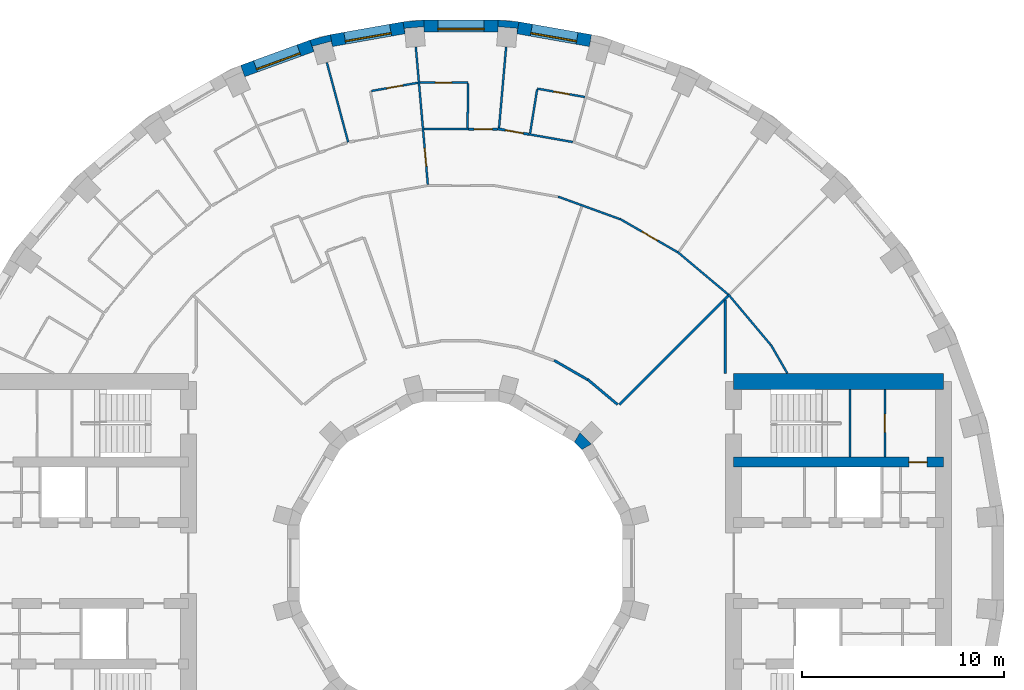
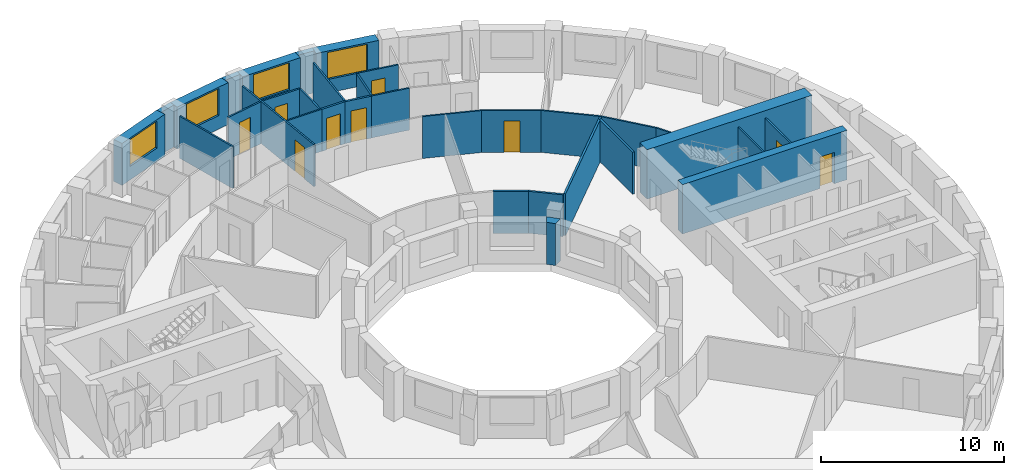
# One storey, part 11 of 14: 33 walls, 9 doors, 4 windows, 13 openings.
"""IFC4 building model written with IfcOpenShell, lengths in metres."""

from ifc_helpers import new_model, si_unit, direction, frame, frame_2d, origin, place, context, subcontext, project, spatial, polyline, rectangle, outline, extrude, material, layer, layer_set, type_object, element, fill, save


model = new_model("IFC4")

# Units and contexts
model_context = context("Model", 3, precision=1e-05, world=origin(), true_north=direction((0.0, 1.0)))
body_context = subcontext(model_context, "Body", "Model", "MODEL_VIEW")
ifc_project = project(units=[si_unit("LENGTHUNIT", "METRE"), si_unit("AREAUNIT", "SQUARE_METRE"), si_unit("VOLUMEUNIT", "CUBIC_METRE"), si_unit("PLANEANGLEUNIT", "RADIAN"), si_unit("MASSUNIT", "GRAM", prefix="KILO")], contexts=[model_context])

# Site, building, storey
site_placement = place(None, origin())
site = spatial("IfcSite", under=ifc_project, at=site_placement, CompositionType="ELEMENT")
building_placement = place(site_placement, origin())
building = spatial("IfcBuilding", under=site, at=building_placement, Name="Saqina Gate Tower", CompositionType="ELEMENT")
storey_placement = place(building_placement, frame((0.0, 0.0, 138.10009765625)))
storey = spatial("IfcBuildingStorey", under=building, at=storey_placement, Name="L39", CompositionType="ELEMENT", Elevation=138.10009765625)

# Walls
ifc_material_1 = material(Name="Brick masonry (buff)", Category="masonry")
wall_type_1 = type_object("IfcWallType", Name="BRICK PIER COPING BUFF", PredefinedType="SOLIDWALL", material=ifc_material_1)
wall_1_placement = place(storey_placement, origin())
element("IfcWall", 1, at=wall_1_placement, inside=storey, type_object=wall_type_1, Name="Pier cap L39 column 9", PredefinedType="SOLIDWALL", context=body_context, shape_type="SweptSolid", body=[
    extrude(outline(polyline([(2.87451171875, 26.805419921875), (1.823974609375, 26.897216796875), (1.823974609375, 26.29736328125), (1.847412109375, 26.565185546875), (2.793701171875, 26.482421875), (2.770263671875, 26.214599609375), (2.87451171875, 26.805419921875)])), origin(), (0.0, 0.0, 1.0), 2.7998046875),
])
wall_2_placement = place(storey_placement, origin())
element("IfcWall", 2, at=wall_2_placement, inside=storey, type_object=wall_type_1, Name="Pier cap L39 column 10", PredefinedType="SOLIDWALL", context=body_context, shape_type="SweptSolid", body=[
    extrude(outline(polyline([(-2.87451171875, 26.805419921875), (-2.770263671875, 26.214599609375), (-2.793701171875, 26.482421875), (-1.847412109375, 26.565185546875), (-1.823974609375, 26.29736328125), (-1.823974609375, 26.897216796875), (-2.87451171875, 26.805419921875)])), origin(), (0.0, 0.0, 1.0), 2.7998046875),
])
wall_3_placement = place(storey_placement, origin())
element("IfcWall", 3, at=wall_3_placement, inside=storey, type_object=wall_type_1, Name="Pier cap L39 column 11", PredefinedType="SOLIDWALL", context=body_context, shape_type="SweptSolid", body=[
    extrude(outline(polyline([(-6.466796875, 26.171875), (-7.485595703125, 25.89892578125), (-7.2802734375, 25.335205078125), (-7.349853515625, 25.5947265625), (-6.43212890625, 25.8408203125), (-6.36279296875, 25.5810546875), (-6.466796875, 26.171875)])), origin(), (0.0, 0.0, 1.0), 2.7998046875),
])

# Wall, opening, door
ifc_material_2 = material(Name="Gypsum board on steel studs", Category="steel")
ifc_layer_1 = layer(ifc_material_2, 0.10009765625)
ifc_layer_set_1 = layer_set([ifc_layer_1], Name="CORE PARTITION")
wall_type_2 = type_object("IfcWallType", Name="CORE PARTITION", PredefinedType="PARTITIONING", material=ifc_layer_set_1)
wall_4_placement = place(storey_placement, frame((20.991943359375, 5.25, 0.0), z_axis=(0.0, 0.0, 1.0), x_axis=(0.0, 1.0, 0.0)))
wall_4 = element("IfcWall", 4, at=wall_4_placement, inside=storey, type_object=wall_type_2, Name="L39-CP-E13", PredefinedType="PARTITIONING", context=body_context, shape_type="SweptSolid", body=[
    extrude(rectangle(XDim=3.35009765625, YDim=0.10009765625, at=frame_2d((1.675048828125, 0.0))), origin(), (0.0, 0.0, 1.0), 2.7998046875),
])
opening_1_placement = place(wall_4_placement, frame((1.22509765625, 0.0, 0.0)))
opening_1 = element("IfcOpeningElement", 5, at=opening_1_placement, cuts=wall_4, Name="Opening G11-D99", PredefinedType="OPENING", context=body_context, shape_type="SweptSolid", body=[
    extrude(rectangle(XDim=0.89990234375, YDim=2.10009765625, at=frame_2d((0.449951171875, 1.050048828125))), frame((0.0, 0.06201171875, 0.0), z_axis=(0.0, -1.0, 0.0), x_axis=(1.0, 0.0, 0.0)), (0.0, 0.0, 1.0), 0.1240234375),
])
ifc_material_3 = material(Name="Steel-framed fire door leaf, EI 60", Category="steel")
door_type_1 = type_object("IfcDoorType", Name="SERVICE ROOM DOOR 900", OperationType="SINGLE_SWING_LEFT", PredefinedType="DOOR", material=ifc_material_3)
door_1_placement = place(opening_1_placement, frame((0.89990234375, 0.0, 0.0), z_axis=(0.0, 0.0, 1.0), x_axis=(-1.0, 0.0, 0.0)))
door_1 = element("IfcDoor", 6, at=door_1_placement, inside=storey, type_object=door_type_1, Name="L39-CD-E10", OperationType="SINGLE_SWING_LEFT", OverallHeight=2.10009765625, OverallWidth=0.89990234375, PredefinedType="DOOR", context=body_context, shape_type="SweptSolid", body=[
    extrude(rectangle(XDim=0.89990234375, YDim=2.10009765625, at=frame_2d((0.449951171875, 1.050048828125))), frame((0.0, 0.02490234375, 0.0), z_axis=(0.0, -1.0, 0.0), x_axis=(1.0, 0.0, 0.0)), (0.0, 0.0, 1.0), 0.050048828125),
])
fill(opening_1, door_1)

# Wall, opening, window
ifc_material_4 = material(Name="Brick masonry (buff)", Category="masonry")
ifc_layer_2 = layer(ifc_material_4, 0.60009765625)
ifc_layer_set_2 = layer_set([ifc_layer_2], Name="FW-BRICK-BUFF")
wall_type_3 = type_object("IfcWallType", Name="FW-BRICK-BUFF", PredefinedType="SOLIDWALL", material=ifc_layer_set_2)
wall_5_placement = place(storey_placement, frame((6.414794921875, 25.87646484375, 0.0), z_axis=(0.0, 0.0, 1.0), x_axis=(-0.984803764455, 0.173670796382, 0.0)))
wall_5 = element("IfcWall", 7, at=wall_5_placement, inside=storey, type_object=wall_type_3, Name="Facade wall L39 facet 8", PredefinedType="SOLIDWALL", context=body_context, shape_type="SweptSolid", body=[
    extrude(rectangle(XDim=3.64794921875, YDim=0.60009765625, at=frame_2d((1.823974609375, 0.0))), origin(), (0.0, 0.0, 1.0), 2.7998046875),
])
opening_2_placement = place(wall_5_placement, frame((0.673828125, 0.0, 0.89990234375)))
opening_2 = element("IfcOpeningElement", 8, at=opening_2_placement, cuts=wall_5, Name="Opening G11-W06", PredefinedType="OPENING", context=body_context, shape_type="SweptSolid", body=[
    extrude(rectangle(XDim=2.300048828125, YDim=1.800048828125, at=frame_2d((1.14990234375, 0.89990234375))), frame((0.0, 0.31201171875, 0.0), z_axis=(0.0, -1.0, 0.0), x_axis=(1.0, 0.0, 0.0)), (0.0, 0.0, 1.0), 0.6240234375),
])
ifc_material_5 = material(Name="Aluminium glazing", Category="aluminium")
window_type = type_object("IfcWindowType", Name="WN-B", PartitioningType="SINGLE_PANEL", PredefinedType="WINDOW", material=ifc_material_5)
window_1_placement = place(opening_2_placement, origin())
window_1 = element("IfcWindow", 9, at=window_1_placement, inside=storey, type_object=window_type, Name="Window L39 facet 8", OverallHeight=1.800048828125, OverallWidth=2.300048828125, PartitioningType="SINGLE_PANEL", PredefinedType="WINDOW", context=body_context, shape_type="SweptSolid", body=[
    extrude(rectangle(XDim=2.300048828125, YDim=1.800048828125, at=frame_2d((1.14990234375, 0.89990234375))), frame((0.0, 0.179931640625, 0.0), z_axis=(0.0, -1.0, 0.0), x_axis=(1.0, 0.0, 0.0)), (0.0, 0.0, 1.0), 0.06005859375),
])
fill(opening_2, window_1)

wall_6_placement = place(storey_placement, frame((1.823974609375, 26.59716796875, 0.0), z_axis=(0.0, 0.0, 1.0), x_axis=(-1.0, 0.0, 0.0)))
wall_6 = element("IfcWall", 10, at=wall_6_placement, inside=storey, type_object=wall_type_3, Name="Facade wall L39 facet 9", PredefinedType="SOLIDWALL", context=body_context, shape_type="SweptSolid", body=[
    extrude(rectangle(XDim=3.64794921875, YDim=0.60009765625, at=frame_2d((1.823974609375, 0.0))), origin(), (0.0, 0.0, 1.0), 2.7998046875),
])
opening_3_placement = place(wall_6_placement, frame((0.673828125, 0.0, 0.89990234375)))
opening_3 = element("IfcOpeningElement", 11, at=opening_3_placement, cuts=wall_6, Name="Opening G11-W07", PredefinedType="OPENING", context=body_context, shape_type="SweptSolid", body=[
    extrude(rectangle(XDim=2.300048828125, YDim=1.800048828125, at=frame_2d((1.14990234375, 0.89990234375))), frame((0.0, 0.31201171875, 0.0), z_axis=(0.0, -1.0, 0.0), x_axis=(1.0, 0.0, 0.0)), (0.0, 0.0, 1.0), 0.6240234375),
])
window_2_placement = place(opening_3_placement, origin())
window_2 = element("IfcWindow", 12, at=window_2_placement, inside=storey, type_object=window_type, Name="Window L39 facet 9", OverallHeight=1.800048828125, OverallWidth=2.300048828125, PartitioningType="SINGLE_PANEL", PredefinedType="WINDOW", context=body_context, shape_type="SweptSolid", body=[
    extrude(rectangle(XDim=2.300048828125, YDim=1.800048828125, at=frame_2d((1.14990234375, 0.89990234375))), frame((0.0, 0.179931640625, 0.0), z_axis=(0.0, -1.0, 0.0), x_axis=(1.0, 0.0, 0.0)), (0.0, 0.0, 1.0), 0.06005859375),
])
fill(opening_3, window_2)

wall_7_placement = place(storey_placement, frame((-2.822265625, 26.510009765625, 0.0), z_axis=(0.0, 0.0, 1.0), x_axis=(-0.984803764455, -0.173670796382, 0.0)))
wall_7 = element("IfcWall", 13, at=wall_7_placement, inside=storey, type_object=wall_type_3, Name="Facade wall L39 facet 10", PredefinedType="SOLIDWALL", context=body_context, shape_type="SweptSolid", body=[
    extrude(rectangle(XDim=3.64794921875, YDim=0.60009765625, at=frame_2d((1.823974609375, 0.0))), origin(), (0.0, 0.0, 1.0), 2.7998046875),
])
opening_4_placement = place(wall_7_placement, frame((0.673828125, 0.0, 0.89990234375)))
opening_4 = element("IfcOpeningElement", 14, at=opening_4_placement, cuts=wall_7, Name="Opening G11-W08", PredefinedType="OPENING", context=body_context, shape_type="SweptSolid", body=[
    extrude(rectangle(XDim=2.300048828125, YDim=1.800048828125, at=frame_2d((1.14990234375, 0.89990234375))), frame((0.0, 0.31201171875, 0.0), z_axis=(0.0, -1.0, 0.0), x_axis=(1.0, 0.0, 0.0)), (0.0, 0.0, 1.0), 0.6240234375),
])
window_3_placement = place(opening_4_placement, origin())
window_3 = element("IfcWindow", 15, at=window_3_placement, inside=storey, type_object=window_type, Name="Window L39 facet 10", OverallHeight=1.800048828125, OverallWidth=2.300048828125, PartitioningType="SINGLE_PANEL", PredefinedType="WINDOW", context=body_context, shape_type="SweptSolid", body=[
    extrude(rectangle(XDim=2.300048828125, YDim=1.800048828125, at=frame_2d((1.14990234375, 0.89990234375))), frame((0.0, 0.179931640625, 0.0), z_axis=(0.0, -1.0, 0.0), x_axis=(1.0, 0.0, 0.0)), (0.0, 0.0, 1.0), 0.06005859375),
])
fill(opening_4, window_3)

wall_8_placement = place(storey_placement, frame((-7.3828125, 25.616943359375, 0.0), z_axis=(0.0, 0.0, 1.0), x_axis=(-0.939703505393, -0.341990236633, 0.0)))
wall_8 = element("IfcWall", 16, at=wall_8_placement, inside=storey, type_object=wall_type_3, Name="Facade wall L39 facet 11", PredefinedType="SOLIDWALL", context=body_context, shape_type="SweptSolid", body=[
    extrude(rectangle(XDim=3.64794921875, YDim=0.60009765625, at=frame_2d((1.823974609375, 0.0))), origin(), (0.0, 0.0, 1.0), 2.7998046875),
])
opening_5_placement = place(wall_8_placement, frame((0.673828125, 0.0, 0.89990234375)))
opening_5 = element("IfcOpeningElement", 17, at=opening_5_placement, cuts=wall_8, Name="Opening G11-W09", PredefinedType="OPENING", context=body_context, shape_type="SweptSolid", body=[
    extrude(rectangle(XDim=2.300048828125, YDim=1.800048828125, at=frame_2d((1.14990234375, 0.89990234375))), frame((0.0, 0.31201171875, 0.0), z_axis=(0.0, -1.0, 0.0), x_axis=(1.0, 0.0, 0.0)), (0.0, 0.0, 1.0), 0.6240234375),
])
window_4_placement = place(opening_5_placement, origin())
window_4 = element("IfcWindow", 18, at=window_4_placement, inside=storey, type_object=window_type, Name="Window L39 facet 11", OverallHeight=1.800048828125, OverallWidth=2.300048828125, PartitioningType="SINGLE_PANEL", PredefinedType="WINDOW", context=body_context, shape_type="SweptSolid", body=[
    extrude(rectangle(XDim=2.300048828125, YDim=1.800048828125, at=frame_2d((1.14990234375, 0.89990234375))), frame((0.0, 0.179931640625, 0.0), z_axis=(0.0, -1.0, 0.0), x_axis=(1.0, 0.0, 0.0)), (0.0, 0.0, 1.0), 0.06005859375),
])
fill(opening_5, window_4)

# Wall, opening, door
ifc_material_6 = material(Name="Gypsum board on steel studs, 100 mm", Category="steel")
ifc_layer_3 = layer(ifc_material_6, 0.10009765625)
ifc_layer_set_3 = layer_set([ifc_layer_3], Name="PARTITION 100")
wall_type_4 = type_object("IfcWallType", Name="PARTITION 100", PredefinedType="PARTITIONING", material=ifc_layer_set_3)
wall_9_placement = place(storey_placement, frame((-2.23681640625, 25.5673828125, 0.0), z_axis=(0.0, 0.0, 1.0), x_axis=(0.087068277691, -0.996202346424, 0.0)))
wall_9 = element("IfcWall", 19, at=wall_9_placement, inside=storey, type_object=wall_type_4, Name="PARTITION PW3-02", PredefinedType="PARTITIONING", context=body_context, shape_type="SweptSolid", body=[
    extrude(rectangle(XDim=6.844482421875, YDim=0.10009765625, at=frame_2d((3.42236328125, 0.0))), origin(), (0.0, 0.0, 1.0), 2.7998046875),
])
opening_6_placement = place(wall_9_placement, frame((5.040283203125, 0.0, 0.0)))
opening_6 = element("IfcOpeningElement", 20, at=opening_6_placement, cuts=wall_9, Name="Opening G11-D11", PredefinedType="OPENING", context=body_context, shape_type="SweptSolid", body=[
    extrude(rectangle(XDim=0.89990234375, YDim=2.10009765625, at=frame_2d((0.449951171875, 1.050048828125))), frame((0.0, 0.06201171875, 0.0), z_axis=(0.0, -1.0, 0.0), x_axis=(1.0, 0.0, 0.0)), (0.0, 0.0, 1.0), 0.1240234375),
])
ifc_material_7 = material(Name="Timber door leaf, 900 mm", Category="wood")
door_type_2 = type_object("IfcDoorType", Name="DOOR 900 TIMBER", OperationType="SINGLE_SWING_LEFT", PredefinedType="DOOR", material=ifc_material_7)
door_2_placement = place(opening_6_placement, origin())
door_2 = element("IfcDoor", 21, at=door_2_placement, inside=storey, type_object=door_type_2, Name="DOOR G11-D11", OperationType="SINGLE_SWING_RIGHT", OverallHeight=2.10009765625, OverallWidth=0.89990234375, PredefinedType="DOOR", context=body_context, shape_type="SweptSolid", body=[
    extrude(rectangle(XDim=0.89990234375, YDim=2.10009765625, at=frame_2d((0.449951171875, 1.050048828125))), frame((0.0, 0.02490234375, 0.0), z_axis=(0.0, -1.0, 0.0), x_axis=(1.0, 0.0, 0.0)), (0.0, 0.0, 1.0), 0.050048828125),
])
fill(opening_6, door_2)

# Walls
wall_10_placement = place(storey_placement, frame((-6.642333984375, 24.79052734375, 0.0), z_axis=(0.0, 0.0, 1.0), x_axis=(0.258796817064, -0.965931782, 0.0)))
element("IfcWall", 22, at=wall_10_placement, inside=storey, type_object=wall_type_4, Name="PARTITION PW3-09", PredefinedType="PARTITIONING", context=body_context, shape_type="SweptSolid", body=[
    extrude(rectangle(XDim=4.085693359375, YDim=0.10009765625, at=frame_2d((2.04296875, 0.0))), origin(), (0.0, 0.0, 1.0), 2.7998046875),
])
wall_11_placement = place(storey_placement, frame((15.3505859375, 10.81005859375, 0.0), z_axis=(0.0, 0.0, 1.0), x_axis=(0.499618727529, -0.866245419672, 0.0)))
element("IfcWall", 23, at=wall_11_placement, inside=storey, type_object=wall_type_4, Name="PARTITION PW3-15", PredefinedType="PARTITIONING", context=body_context, shape_type="SweptSolid", body=[
    extrude(rectangle(XDim=1.630126953125, YDim=0.10009765625, at=frame_2d((0.81494140625, 0.0))), origin(), (0.0, 0.0, 1.0), 2.7998046875),
])
for number, where, z_axis, x_axis, name in (
    (24, (13.2392578125, 13.310791015625, 0.0), (0.0, 0.0, 1.0), (0.643004881109, -0.76586207823, 0.0), "PARTITION PW3-20"),
    (25, (10.72705078125, 15.40869140625, 0.0), (0.0, 0.0, 1.0), (0.76586207823, -0.643004881109, 0.0), "PARTITION PW3-23"),
):
    element("IfcWall", number, at=place(storey_placement, frame(where, z_axis=z_axis, x_axis=x_axis)), inside=storey, type_object=wall_type_4, Name=name, PredefinedType="PARTITIONING", context=body_context, shape_type="SweptSolid", body=[
        extrude(rectangle(XDim=3.27294921875, YDim=0.10009765625, at=frame_2d((1.636474609375, 0.0))), origin(), (0.0, 0.0, 1.0), 2.7998046875),
    ])

# Wall, opening, door
wall_12_placement = place(storey_placement, frame((7.888916015625, 17.037353515625, 0.0), z_axis=(0.0, 0.0, 1.0), x_axis=(0.866002935623, -0.500038913978, 0.0)))
wall_12 = element("IfcWall", 26, at=wall_12_placement, inside=storey, type_object=wall_type_4, Name="PARTITION PW3-27", PredefinedType="PARTITIONING", context=body_context, shape_type="SweptSolid", body=[
    extrude(rectangle(XDim=3.272216796875, YDim=0.10009765625, at=frame_2d((1.63623046875, 0.0))), origin(), (0.0, 0.0, 1.0), 2.7998046875),
])
opening_7_placement = place(wall_12_placement, frame((1.236572265625, 0.0, 0.0)))
opening_7 = element("IfcOpeningElement", 27, at=opening_7_placement, cuts=wall_12, Name="Opening G11-D03", PredefinedType="OPENING", context=body_context, shape_type="SweptSolid", body=[
    extrude(rectangle(XDim=0.89990234375, YDim=2.10009765625, at=frame_2d((0.449951171875, 1.050048828125))), frame((0.0, 0.06201171875, 0.0), z_axis=(0.0, -1.0, 0.0), x_axis=(1.0, 0.0, 0.0)), (0.0, 0.0, 1.0), 0.1240234375),
])
door_3_placement = place(opening_7_placement, origin())
door_3 = element("IfcDoor", 28, at=door_3_placement, inside=storey, type_object=door_type_2, Name="DOOR G11-D03", OperationType="SINGLE_SWING_RIGHT", OverallHeight=2.10009765625, OverallWidth=0.89990234375, PredefinedType="DOOR", context=body_context, shape_type="SweptSolid", body=[
    extrude(rectangle(XDim=0.89990234375, YDim=2.10009765625, at=frame_2d((0.449951171875, 1.050048828125))), frame((0.0, 0.02490234375, 0.0), z_axis=(0.0, -1.0, 0.0), x_axis=(1.0, 0.0, 0.0)), (0.0, 0.0, 1.0), 0.050048828125),
])
fill(opening_7, door_3)

# Walls
wall_13_placement = place(storey_placement, frame((4.810302734375, 18.14794921875, 0.0), z_axis=(0.0, 0.0, 1.0), x_axis=(0.939747677998, -0.341868836979, 0.0)))
element("IfcWall", 29, at=wall_13_placement, inside=storey, type_object=wall_type_4, Name="PARTITION PW3-30", PredefinedType="PARTITIONING", context=body_context, shape_type="SweptSolid", body=[
    extrude(rectangle(XDim=3.27294921875, YDim=0.10009765625, at=frame_2d((1.636474609375, 0.0))), origin(), (0.0, 0.0, 1.0), 2.7998046875),
])
wall_14_placement = place(storey_placement, frame((3.36474609375, 21.235595703125, 0.0), z_axis=(0.0, 0.0, 1.0), x_axis=(0.98480584975, -0.173658971256, 0.0)))
element("IfcWall", 30, at=wall_14_placement, inside=storey, type_object=wall_type_4, Name="PARTITION PW3-36", PredefinedType="PARTITIONING", context=body_context, shape_type="SweptSolid", body=[
    extrude(rectangle(XDim=2.204345703125, YDim=0.10009765625, at=frame_2d((1.10205078125, 0.0))), origin(), (0.0, 0.0, 1.0), 2.7998046875),
])

# Wall, opening, door
wall_15_placement = place(storey_placement, frame((3.779052734375, 23.498046875, 0.0), z_axis=(0.0, 0.0, 1.0), x_axis=(0.984802055472, -0.173680486922, 0.0)))
wall_15 = element("IfcWall", 31, at=wall_15_placement, inside=storey, type_object=wall_type_4, Name="PARTITION PW3-37", PredefinedType="PARTITIONING", context=body_context, shape_type="SweptSolid", body=[
    extrude(rectangle(XDim=2.39111328125, YDim=0.10009765625, at=frame_2d((1.195556640625, 0.0))), origin(), (0.0, 0.0, 1.0), 2.7998046875),
])
opening_8_placement = place(wall_15_placement, frame((0.820556640625, 0.0, 0.0)))
opening_8 = element("IfcOpeningElement", 32, at=opening_8_placement, cuts=wall_15, Name="Opening G11-D06", PredefinedType="OPENING", context=body_context, shape_type="SweptSolid", body=[
    extrude(rectangle(XDim=0.800048828125, YDim=2.10009765625, at=frame_2d((0.39990234375, 1.050048828125))), frame((0.0, 0.06201171875, 0.0), z_axis=(0.0, -1.0, 0.0), x_axis=(1.0, 0.0, 0.0)), (0.0, 0.0, 1.0), 0.1240234375),
])
ifc_material_8 = material(Name="Timber door leaf, 800 mm", Category="wood")
door_type_3 = type_object("IfcDoorType", Name="DOOR 800 TIMBER", OperationType="SINGLE_SWING_LEFT", PredefinedType="DOOR", material=ifc_material_8)
door_4_placement = place(opening_8_placement, origin())
door_4 = element("IfcDoor", 33, at=door_4_placement, inside=storey, type_object=door_type_3, Name="DOOR G11-D06", OperationType="SINGLE_SWING_RIGHT", OverallHeight=2.10009765625, OverallWidth=0.800048828125, PredefinedType="DOOR", context=body_context, shape_type="SweptSolid", body=[
    extrude(rectangle(XDim=0.800048828125, YDim=2.10009765625, at=frame_2d((0.39990234375, 1.050048828125))), frame((0.0, 0.02490234375, 0.0), z_axis=(0.0, -1.0, 0.0), x_axis=(1.0, 0.0, 0.0)), (0.0, 0.0, 1.0), 0.050048828125),
])
fill(opening_8, door_4)

# Wall
wall_16_placement = place(storey_placement, frame((-1.8310546875, 21.4970703125, 0.0), z_axis=(0.0, 0.0, 1.0), x_axis=(1.0, 0.0, 0.0)))
element("IfcWall", 34, at=wall_16_placement, inside=storey, type_object=wall_type_4, Name="PARTITION PW3-42", PredefinedType="PARTITIONING", context=body_context, shape_type="SweptSolid", body=[
    extrude(rectangle(XDim=2.205078125, YDim=0.10009765625, at=frame_2d((1.1025390625, 0.0))), origin(), (0.0, 0.0, 1.0), 2.7998046875),
])

# Wall, opening, door
wall_17_placement = place(storey_placement, frame((-2.031982421875, 23.797119140625, 0.0), z_axis=(0.0, 0.0, 1.0), x_axis=(1.0, 0.0, 0.0)))
wall_17 = element("IfcWall", 35, at=wall_17_placement, inside=storey, type_object=wall_type_4, Name="PARTITION PW3-43", PredefinedType="PARTITIONING", context=body_context, shape_type="SweptSolid", body=[
    extrude(rectangle(XDim=2.390869140625, YDim=0.10009765625, at=frame_2d((1.1953125, 0.0))), origin(), (0.0, 0.0, 1.0), 2.7998046875),
])
opening_9_placement = place(wall_17_placement, frame((0.7705078125, 0.0, 0.0)))
opening_9 = element("IfcOpeningElement", 36, at=opening_9_placement, cuts=wall_17, Name="Opening G11-D10", PredefinedType="OPENING", context=body_context, shape_type="SweptSolid", body=[
    extrude(rectangle(XDim=0.800048828125, YDim=2.10009765625, at=frame_2d((0.39990234375, 1.050048828125))), frame((0.0, 0.06201171875, 0.0), z_axis=(0.0, -1.0, 0.0), x_axis=(1.0, 0.0, 0.0)), (0.0, 0.0, 1.0), 0.1240234375),
])
door_5_placement = place(opening_9_placement, origin())
door_5 = element("IfcDoor", 37, at=door_5_placement, inside=storey, type_object=door_type_3, Name="DOOR G11-D10", OperationType="SINGLE_SWING_LEFT", OverallHeight=2.10009765625, OverallWidth=0.800048828125, PredefinedType="DOOR", context=body_context, shape_type="SweptSolid", body=[
    extrude(rectangle(XDim=0.800048828125, YDim=2.10009765625, at=frame_2d((0.39990234375, 1.050048828125))), frame((0.0, 0.02490234375, 0.0), z_axis=(0.0, -1.0, 0.0), x_axis=(1.0, 0.0, 0.0)), (0.0, 0.0, 1.0), 0.050048828125),
])
fill(opening_9, door_5)

wall_18_placement = place(storey_placement, frame((-4.436767578125, 23.381591796875, 0.0), z_axis=(0.0, 0.0, 1.0), x_axis=(0.984790907087, 0.173743688574, 0.0)))
wall_18 = element("IfcWall", 38, at=wall_18_placement, inside=storey, type_object=wall_type_4, Name="PARTITION PW3-50", PredefinedType="PARTITIONING", context=body_context, shape_type="SweptSolid", body=[
    extrude(rectangle(XDim=2.341064453125, YDim=0.10009765625, at=frame_2d((1.17041015625, 0.0))), origin(), (0.0, 0.0, 1.0), 2.7998046875),
])
opening_10_placement = place(wall_18_placement, frame((0.7705078125, 0.0, 0.0)))
opening_10 = element("IfcOpeningElement", 39, at=opening_10_placement, cuts=wall_18, Name="Opening G11-D12", PredefinedType="OPENING", context=body_context, shape_type="SweptSolid", body=[
    extrude(rectangle(XDim=0.800048828125, YDim=2.10009765625, at=frame_2d((0.39990234375, 1.050048828125))), frame((0.0, 0.06201171875, 0.0), z_axis=(0.0, -1.0, 0.0), x_axis=(1.0, 0.0, 0.0)), (0.0, 0.0, 1.0), 0.1240234375),
])
door_6_placement = place(opening_10_placement, origin())
door_6 = element("IfcDoor", 40, at=door_6_placement, inside=storey, type_object=door_type_3, Name="DOOR G11-D12", OperationType="SINGLE_SWING_RIGHT", OverallHeight=2.10009765625, OverallWidth=0.800048828125, PredefinedType="DOOR", context=body_context, shape_type="SweptSolid", body=[
    extrude(rectangle(XDim=0.800048828125, YDim=2.10009765625, at=frame_2d((0.39990234375, 1.050048828125))), frame((0.0, 0.02490234375, 0.0), z_axis=(0.0, -1.0, 0.0), x_axis=(1.0, 0.0, 0.0)), (0.0, 0.0, 1.0), 0.050048828125),
])
fill(opening_10, door_6)

# Walls
wall_19_placement = place(storey_placement, frame((3.423828125, 21.288818359375, 0.0), z_axis=(0.0, 0.0, 1.0), x_axis=(0.158695579516, 0.987327561168, 0.0)))
element("IfcWall", 41, at=wall_19_placement, inside=storey, type_object=wall_type_4, Name="PARTITION PW3-83", PredefinedType="PARTITIONING", context=body_context, shape_type="SweptSolid", body=[
    extrude(rectangle(XDim=2.187744140625, YDim=0.10009765625, at=frame_2d((1.09375, 0.0))), origin(), (0.0, 0.0, 1.0), 2.7998046875),
])
wall_20_placement = place(storey_placement, frame((1.886474609375, 21.559326171875, 0.0), z_axis=(0.0, 0.0, 1.0), x_axis=(0.087137593131, 0.996196285811, 0.0)))
element("IfcWall", 42, at=wall_20_placement, inside=storey, type_object=wall_type_4, Name="PARTITION PW3-85", PredefinedType="PARTITIONING", context=body_context, shape_type="SweptSolid", body=[
    extrude(rectangle(XDim=4.0234375, YDim=0.10009765625, at=frame_2d((2.01171875, 0.0))), origin(), (0.0, 0.0, 1.0), 2.7998046875),
])
wall_21_placement = place(storey_placement, frame((0.324951171875, 21.5595703125, 0.0), z_axis=(0.0, 0.0, 1.0), x_axis=(0.015176823242, 0.999884825386, 0.0)))
element("IfcWall", 43, at=wall_21_placement, inside=storey, type_object=wall_type_4, Name="PARTITION PW3-86", PredefinedType="PARTITIONING", context=body_context, shape_type="SweptSolid", body=[
    extrude(rectangle(XDim=2.187744140625, YDim=0.10009765625, at=frame_2d((1.09375, 0.0))), origin(), (0.0, 0.0, 1.0), 2.7998046875),
])
ifc_material_9 = material(Name="Gypsum board on steel studs, 125 mm, fire rated", Category="steel")
ifc_layer_4 = layer(ifc_material_9, 0.125)
ifc_layer_set_4 = layer_set([ifc_layer_4], Name="PARTITION EI 30 125")
wall_type_5 = type_object("IfcWallType", Name="PARTITION EI 30 125", PredefinedType="PARTITIONING", material=ifc_layer_set_4)
wall_22_placement = place(storey_placement, frame((6.284423828125, 9.085693359375, 0.0), z_axis=(0.0, 0.0, 1.0), x_axis=(0.766243876147, -0.642549859752, 0.0)))
element("IfcWall", 44, at=wall_22_placement, inside=storey, type_object=wall_type_5, Name="PARTITION PW1-09", PredefinedType="PARTITIONING", context=body_context, shape_type="SweptSolid", body=[
    extrude(rectangle(XDim=1.92626953125, YDim=0.125, at=frame_2d((0.963134765625, 0.0))), origin(), (0.0, 0.0, 1.0), 2.7998046875),
])
wall_23_placement = place(storey_placement, frame((4.612060546875, 10.038818359375, 0.0), z_axis=(0.0, 0.0, 1.0), x_axis=(0.865978590021, -0.500081075052, 0.0)))
element("IfcWall", 45, at=wall_23_placement, inside=storey, type_object=wall_type_5, Name="PARTITION PW1-11", PredefinedType="PARTITIONING", context=body_context, shape_type="SweptSolid", body=[
    extrude(rectangle(XDim=1.925048828125, YDim=0.125, at=frame_2d((0.96240234375, 0.0))), origin(), (0.0, 0.0, 1.0), 2.7998046875),
])

# Wall, opening, door
wall_24_placement = place(storey_placement, frame((1.818603515625, 21.508056640625, 0.0), z_axis=(0.0, 0.0, 1.0), x_axis=(0.984825798369, -0.17354580625, 0.0)))
wall_24 = element("IfcWall", 46, at=wall_24_placement, inside=storey, type_object=wall_type_5, Name="PARTITION PW1-18", PredefinedType="PARTITIONING", context=body_context, shape_type="SweptSolid", body=[
    extrude(rectangle(XDim=1.570068359375, YDim=0.125, at=frame_2d((0.78515625, 0.0))), origin(), (0.0, 0.0, 1.0), 2.7998046875),
])
opening_11_placement = place(wall_24_placement, frame((0.391845703125, 0.0, 0.0)))
opening_11 = element("IfcOpeningElement", 47, at=opening_11_placement, cuts=wall_24, Name="Opening G11-D07", PredefinedType="OPENING", context=body_context, shape_type="SweptSolid", body=[
    extrude(rectangle(XDim=0.89990234375, YDim=2.10009765625, at=frame_2d((0.449951171875, 1.050048828125))), frame((0.0, 0.074462890625, 0.0), z_axis=(0.0, -1.0, 0.0), x_axis=(1.0, 0.0, 0.0)), (0.0, 0.0, 1.0), 0.14892578125),
])
ifc_material_10 = material(Name="Fire door leaf EI 30, 900 mm")
door_type_4 = type_object("IfcDoorType", Name="DOOR 900 EI 30", OperationType="SINGLE_SWING_LEFT", PredefinedType="DOOR", material=ifc_material_10)
door_7_placement = place(opening_11_placement, frame((0.89990234375, 0.0, 0.0), z_axis=(0.0, 0.0, 1.0), x_axis=(-1.0, 0.0, 0.0)))
door_7 = element("IfcDoor", 48, at=door_7_placement, inside=storey, type_object=door_type_4, Name="DOOR G11-D07", OperationType="SINGLE_SWING_RIGHT", OverallHeight=2.10009765625, OverallWidth=0.89990234375, PredefinedType="DOOR", context=body_context, shape_type="SweptSolid", body=[
    extrude(rectangle(XDim=0.89990234375, YDim=2.10009765625, at=frame_2d((0.449951171875, 1.050048828125))), frame((0.0, 0.02490234375, 0.0), z_axis=(0.0, -1.0, 0.0), x_axis=(1.0, 0.0, 0.0)), (0.0, 0.0, 1.0), 0.050048828125),
])
fill(opening_11, door_7)

wall_25_placement = place(storey_placement, frame((0.3740234375, 21.4970703125, 0.0), z_axis=(0.0, 0.0, 1.0), x_axis=(1.0, 0.0, 0.0)))
wall_25 = element("IfcWall", 49, at=wall_25_placement, inside=storey, type_object=wall_type_5, Name="PARTITION PW1-22", PredefinedType="PARTITIONING", context=body_context, shape_type="SweptSolid", body=[
    extrude(rectangle(XDim=1.444580078125, YDim=0.125, at=frame_2d((0.72216796875, 0.0))), origin(), (0.0, 0.0, 1.0), 2.7998046875),
])
opening_12_placement = place(wall_25_placement, frame((0.278564453125, 0.0, 0.0)))
opening_12 = element("IfcOpeningElement", 50, at=opening_12_placement, cuts=wall_25, Name="Opening G11-D08", PredefinedType="OPENING", context=body_context, shape_type="SweptSolid", body=[
    extrude(rectangle(XDim=0.89990234375, YDim=2.10009765625, at=frame_2d((0.449951171875, 1.050048828125))), frame((0.0, 0.074462890625, 0.0), z_axis=(0.0, -1.0, 0.0), x_axis=(1.0, 0.0, 0.0)), (0.0, 0.0, 1.0), 0.14892578125),
])
door_8_placement = place(opening_12_placement, frame((0.89990234375, 0.0, 0.0), z_axis=(0.0, 0.0, 1.0), x_axis=(-1.0, 0.0, 0.0)))
door_8 = element("IfcDoor", 51, at=door_8_placement, inside=storey, type_object=door_type_4, Name="DOOR G11-D08", OperationType="SINGLE_SWING_LEFT", OverallHeight=2.10009765625, OverallWidth=0.89990234375, PredefinedType="DOOR", context=body_context, shape_type="SweptSolid", body=[
    extrude(rectangle(XDim=0.89990234375, YDim=2.10009765625, at=frame_2d((0.449951171875, 1.050048828125))), frame((0.0, 0.02490234375, 0.0), z_axis=(0.0, -1.0, 0.0), x_axis=(1.0, 0.0, 0.0)), (0.0, 0.0, 1.0), 0.050048828125),
])
fill(opening_12, door_8)

# Walls
wall_26_placement = place(storey_placement, frame((7.852294921875, 7.852294921875, 0.0), z_axis=(0.0, 0.0, 1.0), x_axis=(0.707106781187, 0.707106781187, 0.0)))
element("IfcWall", 52, at=wall_26_placement, inside=storey, type_object=wall_type_5, Name="PARTITION PW1-38", PredefinedType="PARTITIONING", context=body_context, shape_type="SweptSolid", body=[
    extrude(rectangle(XDim=7.614501953125, YDim=0.125, at=frame_2d((3.80712890625, 0.0))), origin(), (0.0, 0.0, 1.0), 2.7998046875),
])
wall_27_placement = place(storey_placement, frame((13.10009765625, 9.39990234375, 0.0), z_axis=(0.0, 0.0, 1.0), x_axis=(0.0, 1.0, 0.0)))
element("IfcWall", 53, at=wall_27_placement, inside=storey, type_object=wall_type_5, Name="PARTITION PW1-46", PredefinedType="PARTITIONING", context=body_context, shape_type="SweptSolid", body=[
    extrude(rectangle(XDim=3.6376953125, YDim=0.125, at=frame_2d((1.81884765625, 0.0))), origin(), (0.0, 0.0, 1.0), 2.7998046875),
])
ifc_material_11 = material(Name="Autoclaved aerated concrete block", Category="concrete")
ifc_layer_5 = layer(ifc_material_11, 0.10009765625)
ifc_layer_set_5 = layer_set([ifc_layer_5], Name="STAIR ENCLOSURE WALL")
wall_type_6 = type_object("IfcWallType", Name="STAIR ENCLOSURE WALL", PredefinedType="PARTITIONING", material=ifc_layer_set_5)
wall_28_placement = place(storey_placement, frame((19.27001953125, 5.25, 0.0), z_axis=(0.0, 0.0, 1.0), x_axis=(0.0, 1.0, 0.0)))
element("IfcWall", 54, at=wall_28_placement, inside=storey, type_object=wall_type_6, Name="L39-CP-E12", PredefinedType="PARTITIONING", context=body_context, shape_type="SweptSolid", body=[
    extrude(rectangle(XDim=3.35009765625, YDim=0.10009765625, at=frame_2d((1.675048828125, 0.0))), origin(), (0.0, 0.0, 1.0), 2.7998046875),
])

# Wall, opening, door
ifc_material_12 = material(Name="Concrete C70/85", Category="concrete")
ifc_layer_6 = layer(ifc_material_12, 0.5)
ifc_layer_set_6 = layer_set([ifc_layer_6], Name="Concrete C70/85")
wall_type_7 = type_object("IfcWallType", Name="STR-CORE WALL-B-I", PredefinedType="SHEAR", material=ifc_layer_set_6)
wall_29_placement = place(storey_placement, frame((13.5, 5.0, 0.0), z_axis=(0.0, 0.0, 1.0), x_axis=(1.0, 0.0, 0.0)))
wall_29 = element("IfcWall", 55, at=wall_29_placement, inside=storey, type_object=wall_type_7, Name="CORE WALL L39 E-X1", PredefinedType="SHEAR", context=body_context, shape_type="SweptSolid", body=[
    extrude(rectangle(XDim=10.39990234375, YDim=0.5, at=frame_2d((5.199951171875, 0.0))), origin(), (0.0, 0.0, 1.0), 3.2998046875),
])
opening_13_placement = place(wall_29_placement, frame((8.685546875, 0.0, 0.0)))
opening_13 = element("IfcOpeningElement", 56, at=opening_13_placement, cuts=wall_29, Name="Opening G11-D100", PredefinedType="OPENING", context=body_context, shape_type="SweptSolid", body=[
    extrude(rectangle(XDim=0.89990234375, YDim=2.10009765625, at=frame_2d((0.449951171875, 1.050048828125))), frame((0.0, 0.261962890625, 0.0), z_axis=(0.0, -1.0, 0.0), x_axis=(1.0, 0.0, 0.0)), (0.0, 0.0, 1.0), 0.52392578125),
])
door_9_placement = place(opening_13_placement, origin())
door_9 = element("IfcDoor", 57, at=door_9_placement, inside=storey, type_object=door_type_1, Name="L39-CD-E11", OperationType="SINGLE_SWING_RIGHT", OverallHeight=2.10009765625, OverallWidth=0.89990234375, PredefinedType="DOOR", context=body_context, shape_type="SweptSolid", body=[
    extrude(rectangle(XDim=0.89990234375, YDim=2.10009765625, at=frame_2d((0.449951171875, 1.050048828125))), frame((0.0, 0.02490234375, 0.0), z_axis=(0.0, -1.0, 0.0), x_axis=(1.0, 0.0, 0.0)), (0.0, 0.0, 1.0), 0.050048828125),
])
fill(opening_13, door_9)

# Walls
ifc_material_13 = material(Name="Concrete C70/85", Category="concrete")
ifc_layer_7 = layer(ifc_material_13, 0.800048828125)
ifc_layer_set_7 = layer_set([ifc_layer_7], Name="Concrete C70/85")
wall_type_8 = type_object("IfcWallType", Name="STR-CORE WALL-B-O", PredefinedType="SHEAR", material=ifc_layer_set_7)
wall_30_placement = place(storey_placement, frame((13.5, 9.0, 0.0), z_axis=(0.0, 0.0, 1.0), x_axis=(1.0, 0.0, 0.0)))
element("IfcWall", 58, at=wall_30_placement, inside=storey, type_object=wall_type_8, Name="CORE WALL L39 E-NE", PredefinedType="SHEAR", context=body_context, shape_type="SweptSolid", body=[
    extrude(rectangle(XDim=10.39990234375, YDim=0.800048828125, at=frame_2d((5.199951171875, 0.0))), origin(), (0.0, 0.0, 1.0), 3.2998046875),
])
ifc_material_14 = material(Name="Glazed ceramic tile", Category="ceramic")
wall_type_9 = type_object("IfcWallType", Name="TILE PIER COPING", PredefinedType="SOLIDWALL", material=ifc_material_14)
wall_31_placement = place(storey_placement, origin())
element("IfcWall", 59, at=wall_31_placement, inside=storey, type_object=wall_type_9, Name="Well pier cap L39 column 2", PredefinedType="SOLIDWALL", context=body_context, shape_type="SweptSolid", body=[
    extrude(outline(polyline([(5.891845703125, 6.45751953125), (5.622802734375, 5.991455078125), (5.991455078125, 5.622802734375), (6.45751953125, 5.891845703125), (5.891845703125, 6.45751953125)])), origin(), (0.0, 0.0, 1.0), 2.7998046875),
])

save(model, "model.ifc")
